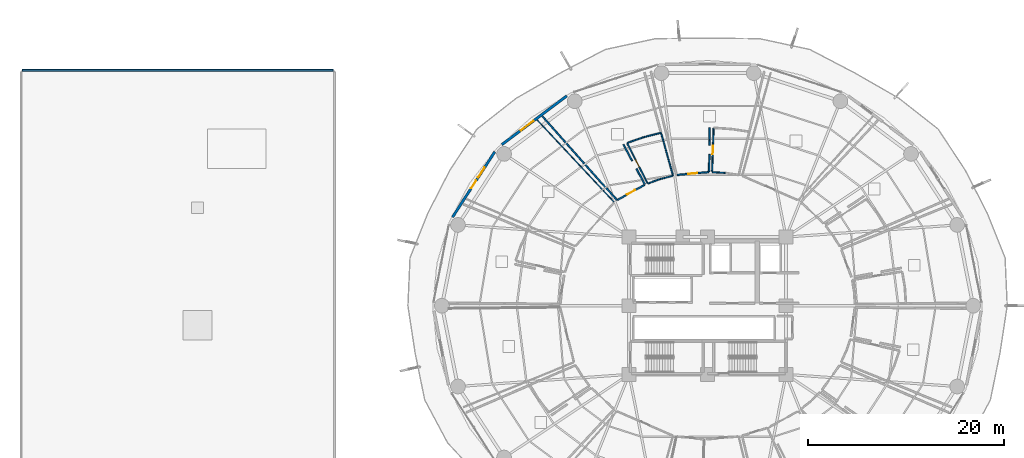
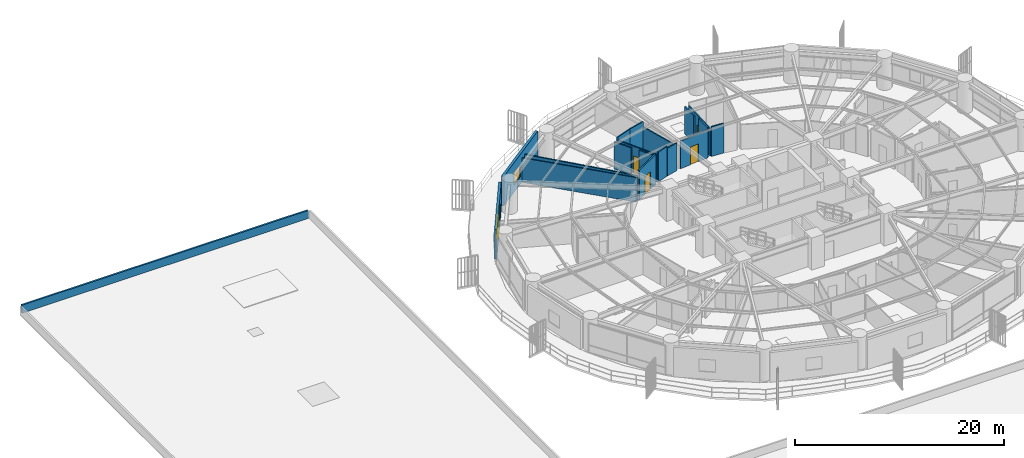
# One storey, part 28 of 35: 19 walls, 5 doors, 2 windows, 7 openings.
"""IFC4 building model written with IfcOpenShell, lengths in metres."""

from ifc_helpers import new_model, si_unit, direction, frame, frame_2d, origin, place, context, subcontext, project, spatial, rectangle, extrude, material, layer, layer_set, type_object, element, fill, save


model = new_model("IFC4")

# Units and contexts
model_context = context("Model", 3, precision=1e-05, world=origin(), true_north=direction((0.0, 1.0)))
body_context = subcontext(model_context, "Body", "Model", "MODEL_VIEW")
ifc_project = project(units=[si_unit("LENGTHUNIT", "METRE"), si_unit("AREAUNIT", "SQUARE_METRE"), si_unit("VOLUMEUNIT", "CUBIC_METRE"), si_unit("PLANEANGLEUNIT", "RADIAN"), si_unit("MASSUNIT", "GRAM", prefix="KILO")], contexts=[model_context])

# Site, building, storey
site_placement = place(None, origin())
site = spatial("IfcSite", under=ifc_project, at=site_placement, CompositionType="ELEMENT")
building_placement = place(site_placement, origin())
building = spatial("IfcBuilding", under=site, at=building_placement, Name="Kelanora Arch Commons", CompositionType="ELEMENT")
storey_placement = place(building_placement, frame((0.0, 0.0, 22.5)))
storey = spatial("IfcBuildingStorey", under=building, at=storey_placement, Name="L05", CompositionType="ELEMENT", Elevation=22.5)

# Wall, opening, door
ifc_material_1 = material(Name="Autoclaved aerated concrete blockwork with fire plaster", Category="masonry")
ifc_layer_1 = layer(ifc_material_1, 0.14990234375)
ifc_layer_set_1 = layer_set([ifc_layer_1], Name="Autoclaved aerated concrete blockwork with fire plaster")
wall_type_1 = type_object("IfcWallType", Name="W-COMP-150", PredefinedType="PARTITIONING", material=ifc_layer_set_1)
wall_1_placement = place(storey_placement, frame((74.100341796875, 71.62353515625, 0.0), z_axis=(0.0, 0.0, 1.0), x_axis=(-0.995822031417, -0.091315287572, 0.0)))
wall_1 = element("IfcWall", 1, at=wall_1_placement, inside=storey, type_object=wall_type_1, Name="Co-Living Studio L05-04 Entry Partition", PredefinedType="PARTITIONING", context=body_context, shape_type="SweptSolid", body=[
    extrude(rectangle(XDim=3.218994140625, YDim=0.14990234375, at=frame_2d((1.609375, 0.0))), origin(), (0.0, 0.0, 1.0), 3.235107421875),
])
opening_1_placement = place(wall_1_placement, frame((1.135009765625, 0.0, 0.0)))
opening_1 = element("IfcOpeningElement", 2, at=opening_1_placement, cuts=wall_1, Name="Opening D-CLU1", PredefinedType="OPENING", context=body_context, shape_type="SweptSolid", body=[
    extrude(rectangle(XDim=0.949951171875, YDim=2.080078125, at=frame_2d((0.47509765625, 1.0400390625))), frame((0.0, 0.0849609375, 0.0), z_axis=(0.0, -1.0, 0.0), x_axis=(1.0, 0.0, 0.0)), (0.0, 0.0, 1.0), 0.169921875),
])
ifc_material_2 = material(Name="Solid-core acoustic timber cluster entry fire door", Category="wood")
door_type_1 = type_object("IfcDoorType", Name="D-CLU-95", OperationType="NOTDEFINED", PredefinedType="DOOR", material=ifc_material_2)
door_1_placement = place(opening_1_placement, origin())
door_1 = element("IfcDoor", 3, at=door_1_placement, inside=storey, type_object=door_type_1, Name="Co-Living Studio L05-04 Door", OperationType="SINGLE_SWING_RIGHT", OverallHeight=2.080078125, OverallWidth=0.949951171875, PredefinedType="DOOR", context=body_context, shape_type="SweptSolid", body=[
    extrude(rectangle(XDim=0.949951171875, YDim=2.080078125, at=frame_2d((0.47509765625, 1.0400390625))), frame((0.0, 0.02490234375, 0.0), z_axis=(0.0, -1.0, 0.0), x_axis=(1.0, 0.0, 0.0)), (0.0, 0.0, 1.0), 0.050048828125),
])
fill(opening_1, door_1)

wall_2_placement = place(storey_placement, frame((67.570556640625, 70.31298828125, 0.0), z_axis=(0.0, 0.0, 1.0), x_axis=(-0.874179278891, -0.48560332408, 0.0)))
wall_2 = element("IfcWall", 4, at=wall_2_placement, inside=storey, type_object=wall_type_1, Name="Co-Living Studio L05-05 Entry Partition", PredefinedType="PARTITIONING", context=body_context, shape_type="SweptSolid", body=[
    extrude(rectangle(XDim=3.14013671875, YDim=0.14990234375, at=frame_2d((1.570068359375, 0.0))), origin(), (0.0, 0.0, 1.0), 3.47998046875),
])
opening_2_placement = place(wall_2_placement, frame((1.094970703125, 0.0, 0.0)))
opening_2 = element("IfcOpeningElement", 5, at=opening_2_placement, cuts=wall_2, Name="Opening D-CLU1", PredefinedType="OPENING", context=body_context, shape_type="SweptSolid", body=[
    extrude(rectangle(XDim=0.949951171875, YDim=2.080078125, at=frame_2d((0.47509765625, 1.0400390625))), frame((0.0, 0.0849609375, 0.0), z_axis=(0.0, -1.0, 0.0), x_axis=(1.0, 0.0, 0.0)), (0.0, 0.0, 1.0), 0.169921875),
])
door_2_placement = place(opening_2_placement, origin())
door_2 = element("IfcDoor", 6, at=door_2_placement, inside=storey, type_object=door_type_1, Name="Co-Living Studio L05-05 Door", OperationType="SINGLE_SWING_RIGHT", OverallHeight=2.080078125, OverallWidth=0.949951171875, PredefinedType="DOOR", context=body_context, shape_type="SweptSolid", body=[
    extrude(rectangle(XDim=0.949951171875, YDim=2.080078125, at=frame_2d((0.47509765625, 1.0400390625))), frame((0.0, 0.02490234375, 0.0), z_axis=(0.0, -1.0, 0.0), x_axis=(1.0, 0.0, 0.0)), (0.0, 0.0, 1.0), 0.050048828125),
])
fill(opening_2, door_2)

# Walls
wall_3_placement = place(storey_placement, frame((74.214599609375, 76.14599609375, 0.0), z_axis=(0.0, 0.0, 1.0), x_axis=(-0.012119496596, -0.999926556204, 0.0)))
element("IfcWall", 7, at=wall_3_placement, inside=storey, type_object=wall_type_1, Name="Co-Living Studio L05-04 Enclosure Partition 7", PredefinedType="PARTITIONING", context=body_context, shape_type="SweptSolid", body=[
    extrude(rectangle(XDim=1.79296875, YDim=0.14990234375, at=frame_2d((0.896484375, 0.0))), origin(), (0.0, 0.0, 1.0), 3.175048828125),
])
wall_4_placement = place(storey_placement, frame((74.181884765625, 73.43310546875, 0.0), z_axis=(0.0, 0.0, 1.0), x_axis=(-0.01217734225, -0.999925853419, 0.0)))
element("IfcWall", 8, at=wall_4_placement, inside=storey, type_object=wall_type_1, Name="Co-Living Studio L05-04 Enclosure Partition 7", PredefinedType="PARTITIONING", context=body_context, shape_type="SweptSolid", body=[
    extrude(rectangle(XDim=1.764404296875, YDim=0.14990234375, at=frame_2d((0.88232421875, 0.0))), origin(), (0.0, 0.0, 1.0), 3.47998046875),
])
wall_5_placement = place(storey_placement, frame((64.746337890625, 68.788818359375, 0.0), z_axis=(0.0, 0.0, 1.0), x_axis=(-0.66580890104, 0.746122313897, 0.0)))
element("IfcWall", 9, at=wall_5_placement, inside=storey, type_object=wall_type_1, Name="Co-Living Studio L05-05 Enclosure Partition 2", PredefinedType="PARTITIONING", context=body_context, shape_type="SweptSolid", body=[
    extrude(rectangle(XDim=11.3994140625, YDim=0.14990234375, at=frame_2d((5.69970703125, 0.0))), origin(), (0.0, 0.0, 1.0), 2.875),
])
wall_6_placement = place(storey_placement, frame((65.4228515625, 74.433837890625, 0.0), z_axis=(0.0, 0.0, 1.0), x_axis=(0.473660949034, -0.880707275637, 0.0)))
element("IfcWall", 10, at=wall_6_placement, inside=storey, type_object=wall_type_1, Name="Co-Living Studio L05-05 Enclosure Partition 7", PredefinedType="PARTITIONING", context=body_context, shape_type="SweptSolid", body=[
    extrude(rectangle(XDim=1.89111328125, YDim=0.14990234375, at=frame_2d((0.945556640625, 0.0))), origin(), (0.0, 0.0, 1.0), 3.175048828125),
])
wall_7_placement = place(storey_placement, frame((66.75439453125, 71.957763671875, 0.0), z_axis=(0.0, 0.0, 1.0), x_axis=(0.473466863657, -0.880811630838, 0.0)))
element("IfcWall", 11, at=wall_7_placement, inside=storey, type_object=wall_type_1, Name="Co-Living Studio L05-05 Enclosure Partition 7", PredefinedType="PARTITIONING", context=body_context, shape_type="SweptSolid", body=[
    extrude(rectangle(XDim=1.79443359375, YDim=0.14990234375, at=frame_2d((0.897216796875, 0.0))), origin(), (0.0, 0.0, 1.0), 3.235107421875),
])

# Wall, opening, window
ifc_material_3 = material(Name="Precast concrete C40/50 with terracotta rainscreen", Category="masonry")
ifc_layer_2 = layer(ifc_material_3, 0.260009765625)
ifc_layer_set_2 = layer_set([ifc_layer_2], Name="Precast concrete C40/50 with terracotta rainscreen")
wall_type_2 = type_object("IfcWallType", Name="W-EXT-TC", PredefinedType="SOLIDWALL", material=ifc_layer_set_2)
wall_8_placement = place(storey_placement, frame((59.651123046875, 79.38916015625, 0.0), z_axis=(0.0, 0.0, 1.0), x_axis=(-0.80030733173, -0.599590005569, 0.0)))
wall_8 = element("IfcWall", 12, at=wall_8_placement, inside=storey, type_object=wall_type_2, Name="Terracotta Exterior Wall L05-B06", PredefinedType="SOLIDWALL", context=body_context, shape_type="SweptSolid", body=[
    extrude(rectangle(XDim=8.29052734375, YDim=0.260009765625, at=frame_2d((4.145263671875, 0.0))), origin(), (0.0, 0.0, 1.0), 3.47509765625),
])
opening_3_placement = place(wall_8_placement, frame((4.2451171875, 0.0, 0.85009765625)))
opening_3 = element("IfcOpeningElement", 13, at=opening_3_placement, cuts=wall_8, Name="Opening WN-01", PredefinedType="OPENING", context=body_context, shape_type="SweptSolid", body=[
    extrude(rectangle(XDim=1.60009765625, YDim=1.449951171875, at=frame_2d((0.800048828125, 0.72509765625))), frame((0.0, 0.14013671875, 0.0), z_axis=(0.0, -1.0, 0.0), x_axis=(1.0, 0.0, 0.0)), (0.0, 0.0, 1.0), 0.280029296875),
])
ifc_material_4 = material(Name="Terracotta-anodised aluminium frame with operable low-E glazing", Category="masonry")
window_type_1 = type_object("IfcWindowType", Name="WIN-CL-18", PartitioningType="DOUBLE_PANEL_VERTICAL", PredefinedType="WINDOW", material=ifc_material_4)
window_1_placement = place(opening_3_placement, origin())
window_1 = element("IfcWindow", 14, at=window_1_placement, inside=storey, type_object=window_type_1, Name="Co-Living Operable Window L05-B06", OverallHeight=1.449951171875, OverallWidth=1.60009765625, PartitioningType="SINGLE_PANEL", PredefinedType="WINDOW", context=body_context, shape_type="SweptSolid", body=[
    extrude(rectangle(XDim=1.60009765625, YDim=1.449951171875, at=frame_2d((0.800048828125, 0.72509765625))), frame((0.0, 0.030029296875, 0.0), z_axis=(0.0, -1.0, 0.0), x_axis=(1.0, 0.0, 0.0)), (0.0, 0.0, 1.0), 0.06005859375),
])
fill(opening_3, window_1)

# Wall, openings, door, window
wall_9_placement = place(storey_placement, frame((52.310791015625, 73.698486328125, 0.0), z_axis=(0.0, 0.0, 1.0), x_axis=(-0.543005114258, -0.839729388488, 0.0)))
wall_9 = element("IfcWall", 15, at=wall_9_placement, inside=storey, type_object=wall_type_2, Name="Terracotta Exterior Wall L05-B07", PredefinedType="SOLIDWALL", context=body_context, shape_type="SweptSolid", body=[
    extrude(rectangle(XDim=7.9375, YDim=0.260009765625, at=frame_2d((3.96875, 0.0))), origin(), (0.0, 0.0, 1.0), 3.47509765625),
])
opening_4_placement = place(wall_9_placement, frame((3.493896484375, 0.0, 0.0)))
opening_4 = element("IfcOpeningElement", 16, at=opening_4_placement, cuts=wall_9, Name="Opening DB-01", PredefinedType="OPENING", context=body_context, shape_type="SweptSolid", body=[
    extrude(rectangle(XDim=0.949951171875, YDim=2.10009765625, at=frame_2d((0.47509765625, 1.050048828125))), frame((0.0, 0.14013671875, 0.0), z_axis=(0.0, -1.0, 0.0), x_axis=(1.0, 0.0, 0.0)), (0.0, 0.0, 1.0), 0.280029296875),
])
opening_5_placement = place(wall_9_placement, frame((1.9140625, 0.0, 0.85009765625)))
opening_5 = element("IfcOpeningElement", 17, at=opening_5_placement, cuts=wall_9, Name="Opening WN-02", PredefinedType="OPENING", context=body_context, shape_type="SweptSolid", body=[
    extrude(rectangle(XDim=1.199951171875, YDim=1.449951171875, at=frame_2d((0.60009765625, 0.72509765625))), frame((0.0, 0.14013671875, 0.0), z_axis=(0.0, -1.0, 0.0), x_axis=(1.0, 0.0, 0.0)), (0.0, 0.0, 1.0), 0.280029296875),
])
ifc_material_5 = material(Name="Terracotta-aluminium thermally broken glazed balcony door", Category="masonry")
door_type_2 = type_object("IfcDoorType", Name="D-BAL-10", OperationType="NOTDEFINED", PredefinedType="DOOR", material=ifc_material_5)
door_3_placement = place(opening_4_placement, frame((0.949951171875, 0.0, 0.0), z_axis=(0.0, 0.0, 1.0), x_axis=(-1.0, 0.0, 0.0)))
door_3 = element("IfcDoor", 18, at=door_3_placement, inside=storey, type_object=door_type_2, Name="Wave Balcony Door L05-B07", OperationType="SINGLE_SWING_LEFT", OverallHeight=2.10009765625, OverallWidth=0.949951171875, PredefinedType="DOOR", context=body_context, shape_type="SweptSolid", body=[
    extrude(rectangle(XDim=0.949951171875, YDim=2.10009765625, at=frame_2d((0.47509765625, 1.050048828125))), frame((0.0, 0.02490234375, 0.0), z_axis=(0.0, -1.0, 0.0), x_axis=(1.0, 0.0, 0.0)), (0.0, 0.0, 1.0), 0.050048828125),
])
fill(opening_4, door_3)
ifc_material_6 = material(Name="Terracotta-anodised aluminium frame with operable awning sash", Category="masonry")
window_type_2 = type_object("IfcWindowType", Name="WIN-CL-12", PartitioningType="SINGLE_PANEL", PredefinedType="WINDOW", material=ifc_material_6)
window_2_placement = place(opening_5_placement, origin())
window_2 = element("IfcWindow", 19, at=window_2_placement, inside=storey, type_object=window_type_2, Name="Co-Living Operable Window L05-B07", OverallHeight=1.449951171875, OverallWidth=1.199951171875, PartitioningType="SINGLE_PANEL", PredefinedType="WINDOW", context=body_context, shape_type="SweptSolid", body=[
    extrude(rectangle(XDim=1.199951171875, YDim=1.449951171875, at=frame_2d((0.60009765625, 0.72509765625))), frame((0.0, 0.030029296875, 0.0), z_axis=(0.0, -1.0, 0.0), x_axis=(1.0, 0.0, 0.0)), (0.0, 0.0, 1.0), 0.06005859375),
])
fill(opening_5, window_2)

# Walls
ifc_material_7 = material(Name="Precast concrete C40/50 parapet", Category="concrete")
ifc_layer_3 = layer(ifc_material_7, 0.18994140625)
ifc_layer_set_3 = layer_set([ifc_layer_3], Name="Precast concrete C40/50 parapet")
wall_type_3 = type_object("IfcWallType", Name="W-PARAPET", PredefinedType="PARAPET", material=ifc_layer_set_3)
wall_10_placement = place(storey_placement, frame((35.85009765625, 82.0, 0.0), z_axis=(0.0, 0.0, 1.0), x_axis=(-1.0, 0.0, 0.0)))
element("IfcWall", 20, at=wall_10_placement, inside=storey, type_object=wall_type_3, Name="Market Hall Roof Parapet 5", PredefinedType="PARAPET", context=body_context, shape_type="SweptSolid", body=[
    extrude(rectangle(XDim=31.7001953125, YDim=0.18994140625, at=frame_2d((15.85009765625, 0.0))), origin(), (0.0, 0.0, 1.0), 0.949951171875),
])
ifc_material_8 = material(Name="Lightweight fire-rated acoustic stud partition")
ifc_layer_4 = layer(ifc_material_8, 0.10009765625)
ifc_layer_set_4 = layer_set([ifc_layer_4], Name="Lightweight fire-rated acoustic stud partition")
wall_type_4 = type_object("IfcWallType", Name="W-PART-100", PredefinedType="PARTITIONING", material=ifc_layer_set_4)
wall_11_placement = place(storey_placement, frame((56.63232421875, 76.921875, 0.0), z_axis=(0.0, 0.0, 1.0), x_axis=(0.684261294523, -0.729236916796, 0.0)))
element("IfcWall", 21, at=wall_11_placement, inside=storey, type_object=wall_type_4, Name="Quiet Seminar Study Room L05-06 Enclosure Partition 4", PredefinedType="PARTITIONING", context=body_context, shape_type="SweptSolid", body=[
    extrude(rectangle(XDim=11.4375, YDim=0.10009765625, at=frame_2d((5.71875, 0.0))), origin(), (0.0, 0.0, 1.0), 2.875),
])

# Wall, opening, door
ifc_material_9 = material(Name="Moisture-resistant fire-rated cement-board plumbing wall")
ifc_layer_5 = layer(ifc_material_9, 0.1298828125)
ifc_layer_set_5 = layer_set([ifc_layer_5], Name="Moisture-resistant fire-rated cement-board plumbing wall")
wall_type_5 = type_object("IfcWallType", Name="W-WET-120", PredefinedType="PLUMBINGWALL", material=ifc_layer_set_5)
wall_12_placement = place(storey_placement, frame((74.463134765625, 71.68408203125, 0.0), z_axis=(0.0, 0.0, 1.0), x_axis=(0.035428098094, 0.999372227884, 0.0)))
wall_12 = element("IfcWall", 22, at=wall_12_placement, inside=storey, type_object=wall_type_5, Name="En-Suite Shower WC L05-04 Entry Partition", PredefinedType="PLUMBINGWALL", context=body_context, shape_type="SweptSolid", body=[
    extrude(rectangle(XDim=4.396484375, YDim=0.1298828125, at=frame_2d((2.1982421875, 0.0))), origin(), (0.0, 0.0, 1.0), 3.175048828125),
])
opening_6_placement = place(wall_12_placement, frame((1.76806640625, 0.0, 0.0)))
opening_6 = element("IfcOpeningElement", 23, at=opening_6_placement, cuts=wall_12, Name="Opening D-BT1", PredefinedType="OPENING", context=body_context, shape_type="SweptSolid", body=[
    extrude(rectangle(XDim=0.860107421875, YDim=2.050048828125, at=frame_2d((0.43017578125, 1.02490234375))), frame((0.0, 0.074951171875, 0.0), z_axis=(0.0, -1.0, 0.0), x_axis=(1.0, 0.0, 0.0)), (0.0, 0.0, 1.0), 0.14990234375),
])
ifc_material_10 = material(Name="Moisture-sealed fire-rated accessible bathroom door")
door_type_3 = type_object("IfcDoorType", Name="D-BATH-85", OperationType="NOTDEFINED", PredefinedType="DOOR", material=ifc_material_10)
door_4_placement = place(opening_6_placement, origin())
door_4 = element("IfcDoor", 24, at=door_4_placement, inside=storey, type_object=door_type_3, Name="En-Suite Shower WC L05-04 Door", OperationType="SINGLE_SWING_LEFT", OverallHeight=2.050048828125, OverallWidth=0.860107421875, PredefinedType="DOOR", context=body_context, shape_type="SweptSolid", body=[
    extrude(rectangle(XDim=0.860107421875, YDim=2.050048828125, at=frame_2d((0.43017578125, 1.02490234375))), frame((0.0, 0.02490234375, 0.0), z_axis=(0.0, -1.0, 0.0), x_axis=(1.0, 0.0, 0.0)), (0.0, 0.0, 1.0), 0.050048828125),
])
fill(opening_6, door_4)

wall_13_placement = place(storey_placement, frame((67.86962890625, 70.509521484375, 0.0), z_axis=(0.0, 0.0, 1.0), x_axis=(-0.45442479933, 0.890785104138, 0.0)))
wall_13 = element("IfcWall", 25, at=wall_13_placement, inside=storey, type_object=wall_type_5, Name="En-Suite Shower WC L05-05 Entry Partition", PredefinedType="PLUMBINGWALL", context=body_context, shape_type="SweptSolid", body=[
    extrude(rectangle(XDim=4.513916015625, YDim=0.1298828125, at=frame_2d((2.2568359375, 0.0))), origin(), (0.0, 0.0, 1.0), 3.175048828125),
])
opening_7_placement = place(wall_13_placement, frame((1.826904296875, 0.0, 0.0)))
opening_7 = element("IfcOpeningElement", 26, at=opening_7_placement, cuts=wall_13, Name="Opening D-BT1", PredefinedType="OPENING", context=body_context, shape_type="SweptSolid", body=[
    extrude(rectangle(XDim=0.860107421875, YDim=2.050048828125, at=frame_2d((0.43017578125, 1.02490234375))), frame((0.0, 0.074951171875, 0.0), z_axis=(0.0, -1.0, 0.0), x_axis=(1.0, 0.0, 0.0)), (0.0, 0.0, 1.0), 0.14990234375),
])
door_5_placement = place(opening_7_placement, origin())
door_5 = element("IfcDoor", 27, at=door_5_placement, inside=storey, type_object=door_type_3, Name="En-Suite Shower WC L05-05 Door", OperationType="SINGLE_SWING_LEFT", OverallHeight=2.050048828125, OverallWidth=0.860107421875, PredefinedType="DOOR", context=body_context, shape_type="SweptSolid", body=[
    extrude(rectangle(XDim=0.860107421875, YDim=2.050048828125, at=frame_2d((0.43017578125, 1.02490234375))), frame((0.0, 0.02490234375, 0.0), z_axis=(0.0, -1.0, 0.0), x_axis=(1.0, 0.0, 0.0)), (0.0, 0.0, 1.0), 0.050048828125),
])
fill(opening_7, door_5)

# Walls
wall_14_placement = place(storey_placement, frame((75.801025390625, 71.531494140625, 0.0), z_axis=(0.0, 0.0, 1.0), x_axis=(-0.997629018134, 0.068821088175, 0.0)))
element("IfcWall", 28, at=wall_14_placement, inside=storey, type_object=wall_type_5, Name="En-Suite Shower WC L05-04 Enclosure Partition 2", PredefinedType="PLUMBINGWALL", context=body_context, shape_type="SweptSolid", body=[
    extrude(rectangle(XDim=1.3232421875, YDim=0.1298828125, at=frame_2d((0.66162109375, 0.0))), origin(), (0.0, 0.0, 1.0), 3.47998046875),
])
wall_15_placement = place(storey_placement, frame((70.457763671875, 71.244873046875, 0.0), z_axis=(0.0, 0.0, 1.0), x_axis=(-0.967235526128, -0.253880753498, 0.0)))
element("IfcWall", 29, at=wall_15_placement, inside=storey, type_object=wall_type_5, Name="En-Suite Shower WC L05-05 Enclosure Partition 1", PredefinedType="PLUMBINGWALL", context=body_context, shape_type="SweptSolid", body=[
    extrude(rectangle(XDim=1.314453125, YDim=0.1298828125, at=frame_2d((0.6572265625, 0.0))), origin(), (0.0, 0.0, 1.0), 3.235107421875),
])
wall_16_placement = place(storey_placement, frame((69.148193359375, 70.8994140625, 0.0), z_axis=(0.0, 0.0, 1.0), x_axis=(-0.942537812533, -0.33409949408, 0.0)))
element("IfcWall", 30, at=wall_16_placement, inside=storey, type_object=wall_type_5, Name="En-Suite Shower WC L05-05 Enclosure Partition 2", PredefinedType="PLUMBINGWALL", context=body_context, shape_type="SweptSolid", body=[
    extrude(rectangle(XDim=1.307373046875, YDim=0.1298828125, at=frame_2d((0.65380859375, 0.0))), origin(), (0.0, 0.0, 1.0), 3.47998046875),
])
wall_17_placement = place(storey_placement, frame((65.809814453125, 74.590576171875, 0.0), z_axis=(0.0, 0.0, 1.0), x_axis=(0.943615101484, 0.331044619728, 0.0)))
element("IfcWall", 31, at=wall_17_placement, inside=storey, type_object=wall_type_5, Name="En-Suite Shower WC L05-05 Enclosure Partition 4", PredefinedType="PLUMBINGWALL", context=body_context, shape_type="SweptSolid", body=[
    extrude(rectangle(XDim=1.77001953125, YDim=0.1298828125, at=frame_2d((0.885009765625, 0.0))), origin(), (0.0, 0.0, 1.0), 3.47998046875),
])
wall_18_placement = place(storey_placement, frame((67.518310546875, 75.18798828125, 0.0), z_axis=(0.0, 0.0, 1.0), x_axis=(0.967790422801, 0.251757219427, 0.0)))
element("IfcWall", 32, at=wall_18_placement, inside=storey, type_object=wall_type_5, Name="En-Suite Shower WC L05-05 Enclosure Partition 5", PredefinedType="PLUMBINGWALL", context=body_context, shape_type="SweptSolid", body=[
    extrude(rectangle(XDim=1.779541015625, YDim=0.1298828125, at=frame_2d((0.8896484375, 0.0))), origin(), (0.0, 0.0, 1.0), 3.47998046875),
])
wall_19_placement = place(storey_placement, frame((69.265380859375, 75.62158203125, 0.0), z_axis=(0.0, 0.0, 1.0), x_axis=(0.267094578575, -0.963670320232, 0.0)))
element("IfcWall", 33, at=wall_19_placement, inside=storey, type_object=wall_type_5, Name="En-Suite Shower WC L05-05 Enclosure Partition 6", PredefinedType="PLUMBINGWALL", context=body_context, shape_type="SweptSolid", body=[
    extrude(rectangle(XDim=4.516357421875, YDim=0.1298828125, at=frame_2d((2.25830078125, 0.0))), origin(), (0.0, 0.0, 1.0), 2.875),
])

save(model, "model.ifc")
